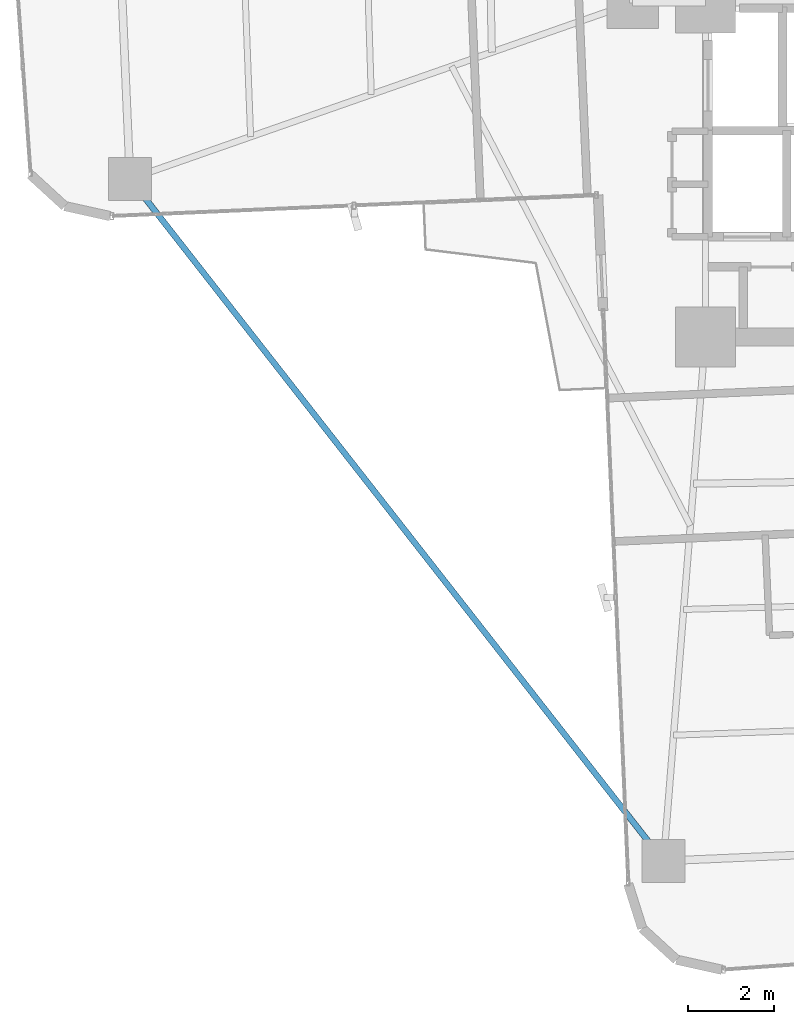
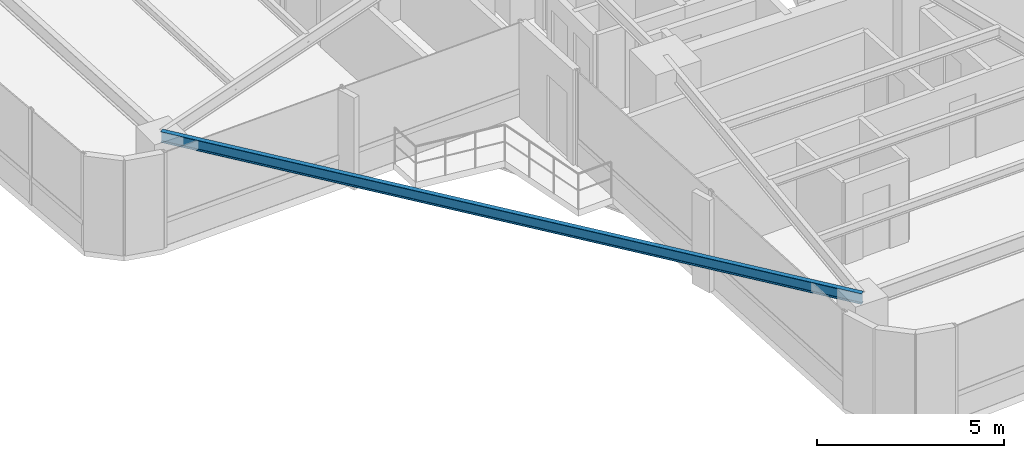
# One storey, part 3 of 26: 1 beam.
"""IFC4 building model written with IfcOpenShell, lengths in metres."""

import ifcopenshell
import ifcopenshell.guid

model = None  # the IFC model being written
_history = None  # IfcOwnerHistory: only IFC2X3 demands one
_inside = {}  # id of a spatial element -> (the spatial element, [elements in it])
_under = {}  # id of a project, library or spatial element -> (it, [spatial elements below it])
_declared = {}  # id of a project -> (the project, [libraries it declares])
_typed = {}  # id of a type object -> (the type object, [elements of that type])
_made_of = {}  # id of a material, layer set ... -> (it, [elements and type objects made of it])


def new_model(schema):
    """Start an empty IFC model of exactly this schema.

    Asked for "IFC4X3", IfcOpenShell would pick the latest addendum, in which some entities
    have other attributes; the version numbers below select the first issue.
    IFC2X3 requires an IfcOwnerHistory on every rooted entity: one is made here for all.
    """
    global model, _history
    if schema == "IFC4X3":
        model = ifcopenshell.file(schema_version=(4, 3, 0, 0))
    else:
        model = ifcopenshell.file(schema=schema)
    _inside.clear()
    _under.clear()
    _declared.clear()
    _typed.clear()
    _made_of.clear()
    _history = None
    if model.schema == "IFC2X3":
        org = make("IfcOrganization", Name="unknown")
        user = make(
            "IfcPersonAndOrganization",
            ThePerson=make("IfcPerson", FamilyName="unknown"),
            TheOrganization=org,
        )
        app = make(
            "IfcApplication",
            ApplicationDeveloper=org,
            Version="unknown",
            ApplicationFullName="unknown",
            ApplicationIdentifier="unknown",
        )
        _history = make(
            "IfcOwnerHistory",
            OwningUser=user,
            OwningApplication=app,
            ChangeAction="ADDED",
            CreationDate=0,
        )
    return model


def make(cls, **values):
    """One entity of the class cls with the attributes given. An attribute that is None is left unset."""
    return model.create_entity(
        cls, **{name: value for name, value in values.items() if value is not None}
    )


def rooted(cls, **values):
    """An entity with a GlobalId (a new one), such as an element, a storey or a relation."""
    return make(cls, GlobalId=ifcopenshell.guid.new(), OwnerHistory=_history, **values)


def si_unit(unit_type, name, prefix=None):
    """IfcSIUnit, for example si_unit("LENGTHUNIT", "METRE", prefix="MILLI")."""
    return make("IfcSIUnit", UnitType=unit_type, Prefix=prefix, Name=name)


def assignment(units):
    """IfcUnitAssignment: the units of a project."""
    return None if units is None else make("IfcUnitAssignment", Units=units)


def point(xyz):
    """IfcCartesianPoint."""
    return None if xyz is None else make("IfcCartesianPoint", Coordinates=xyz)


def direction(xyz):
    """IfcDirection."""
    return None if xyz is None else make("IfcDirection", DirectionRatios=xyz)


def frame(location, z_axis=None, x_axis=None):
    """IfcAxis2Placement3D, a coordinate frame: its origin and axes. An axis left out is left unset."""
    return make(
        "IfcAxis2Placement3D",
        Location=point(location),
        Axis=direction(z_axis),
        RefDirection=direction(x_axis),
    )


def frame_2d(location, x_axis=None):
    """IfcAxis2Placement2D, a coordinate frame in the plane: its origin and x axis."""
    return make(
        "IfcAxis2Placement2D", Location=point(location), RefDirection=direction(x_axis)
    )


def origin():
    """The frame at (0, 0, 0) with its axes left unset."""
    return frame((0.0, 0.0, 0.0))


def origin_2d():
    """The frame at (0, 0) in the plane with its x axis left unset."""
    return frame_2d((0.0, 0.0))


def place(relative_to, where):
    """IfcLocalPlacement: puts the frame where relative to a parent placement (None: the world)."""
    return make(
        "IfcLocalPlacement", PlacementRelTo=relative_to, RelativePlacement=where
    )


def context(
    kind, dimensions, precision=None, world=None, true_north=None, identifier=None
):
    """IfcGeometricRepresentationContext, for example the 3D "Model" context."""
    return make(
        "IfcGeometricRepresentationContext",
        ContextIdentifier=identifier,
        ContextType=kind,
        CoordinateSpaceDimension=dimensions,
        Precision=precision,
        WorldCoordinateSystem=world,
        TrueNorth=true_north,
    )


def subcontext(parent, identifier, kind, view, scale=None):
    """IfcGeometricRepresentationSubContext, for example "Body" below "Model"."""
    return make(
        "IfcGeometricRepresentationSubContext",
        ContextIdentifier=identifier,
        ContextType=kind,
        ParentContext=parent,
        TargetScale=scale,
        TargetView=view,
    )


def project(units=None, contexts=None):
    """IfcProject with its units and contexts."""
    return rooted(
        "IfcProject",
        Name="project",
        RepresentationContexts=contexts,
        UnitsInContext=assignment(units),
    )


def spatial(cls, under=None, at=None, **own):
    """A site, building, storey or space (cls), placed at a placement, below another one or the project."""
    s = rooted(cls, ObjectPlacement=at, **own)
    if under is not None:
        _under.setdefault(under.id(), (under, []))[1].append(s)
    return s


def profile(cls, at=None, kind="AREA", **sizes):
    """A parametric profile (cls). Its sizes go by their IFC names, for example OverallWidth=200.0."""
    return make(cls, ProfileType=kind, Position=at, **sizes)


def i_section(**sizes):
    """IfcIShapeProfileDef."""
    return profile("IfcIShapeProfileDef", **sizes)


def extrude(swept, where, along, depth):
    """IfcExtrudedAreaSolid: the profile swept, set in the frame where, extruded along a direction by depth."""
    return make(
        "IfcExtrudedAreaSolid",
        SweptArea=swept,
        Position=where,
        ExtrudedDirection=direction(along),
        Depth=depth,
    )


def shape(context_of_items, identifier, shape_type, items):
    """IfcShapeRepresentation: the items that make up one representation, for example the "Body"."""
    return make(
        "IfcShapeRepresentation",
        ContextOfItems=context_of_items,
        RepresentationIdentifier=identifier,
        RepresentationType=shape_type,
        Items=items,
    )


def source(mapping_origin, context_of_items, identifier, shape_type, items):
    """IfcRepresentationMap: a shape defined once, which mapped items show again and again."""
    return make(
        "IfcRepresentationMap",
        MappingOrigin=mapping_origin,
        MappedRepresentation=shape(context_of_items, identifier, shape_type, items),
    )


def transform(
    local_origin,
    x_axis=None,
    y_axis=None,
    z_axis=None,
    scale=None,
    scale2=None,
    scale3=None,
    uniform=True,
):
    """IfcCartesianTransformationOperator3D, or its non-uniform kind. x_axis, y_axis, z_axis: its Axis1, 2, 3."""
    if uniform:
        return make(
            "IfcCartesianTransformationOperator3D",
            Axis1=direction(x_axis),
            Axis2=direction(y_axis),
            LocalOrigin=point(local_origin),
            Scale=scale,
            Axis3=direction(z_axis),
        )
    return make(
        "IfcCartesianTransformationOperator3DnonUniform",
        Axis1=direction(x_axis),
        Axis2=direction(y_axis),
        LocalOrigin=point(local_origin),
        Scale=scale,
        Axis3=direction(z_axis),
        Scale2=scale2,
        Scale3=scale3,
    )


def mapped(mapping_source, mapping_target):
    """IfcMappedItem: shows the shape of a source again, moved by a transform."""
    return make(
        "IfcMappedItem", MappingSource=mapping_source, MappingTarget=mapping_target
    )


def material(Name=None, Category=None):
    """IfcMaterial."""
    return make("IfcMaterial", Name=Name, Category=Category)


def material_profile(
    of_material, cross_section, Name=None, Category=None, Priority=None
):
    """IfcMaterialProfile: a cross section and its material."""
    return make(
        "IfcMaterialProfile",
        Name=Name,
        Material=of_material,
        Profile=cross_section,
        Priority=Priority,
        Category=Category,
    )


def profile_set(profiles, Name=None, composite=None):
    """IfcMaterialProfileSet."""
    return make(
        "IfcMaterialProfileSet",
        Name=Name,
        MaterialProfiles=profiles,
        CompositeProfile=composite,
    )


def made_of(thing, what):
    """Note that an element or type object is made of a material, layer set ...; save() writes the relation."""
    if what is not None:
        _made_of.setdefault(what.id(), (what, []))[1].append(thing)
    return thing


def type_object(cls, material=None, **own):
    """A type object (cls), such as IfcWallType, which elements share."""
    return made_of(rooted(cls, **own), material)


def element(
    cls,
    number,
    at=None,
    inside=None,
    cuts=None,
    type_object=None,
    material=None,
    context=None,
    identifier="Body",
    shape_type=None,
    held_by="IfcProductDefinitionShape",
    body=None,
    shapes=None,
    **own,
):
    """One element of the class cls, such as IfcWall. Its Tag is "e" and its number.

    at: its placement. inside: the storey or other place that contains it. cuts: it is an
    opening in that element (IfcRelVoidsElement). A single representation is given by context,
    identifier, shape_type and body (its items); several are given by shapes. held_by: the class
    of the entity that holds the representations. save() writes the other relations.
    """
    e = rooted(cls, Tag="e%d" % number, ObjectPlacement=at, **own)
    if body is not None:
        shapes = [shape(context, identifier, shape_type, body)]
    if shapes is not None:
        e.Representation = make(held_by, Representations=shapes)
    if inside is not None:
        _inside.setdefault(inside.id(), (inside, []))[1].append(e)
    if cuts is not None:
        rooted(
            "IfcRelVoidsElement", RelatingBuildingElement=cuts, RelatedOpeningElement=e
        )
    if type_object is not None:
        _typed.setdefault(type_object.id(), (type_object, []))[1].append(e)
    return made_of(e, material)


def aggregate(whole, parts):
    """IfcRelAggregates: a whole, such as a stair, and the parts it consists of."""
    return rooted("IfcRelAggregates", RelatingObject=whole, RelatedObjects=parts)


def save(model, path):
    """Write the relations noted so far, then the file.

    IfcRelAggregates (storeys below a building ...), IfcRelContainedInSpatialStructure (elements
    in a storey), IfcRelDefinesByType, IfcRelAssociatesMaterial and IfcRelDeclares: one each for
    every whole, place, type object, material and project.
    """
    for whole, parts in _under.values():
        aggregate(whole, parts)
    for where, things in _inside.values():
        rooted(
            "IfcRelContainedInSpatialStructure",
            RelatedElements=things,
            RelatingStructure=where,
        )
    for kind, things in _typed.values():
        rooted("IfcRelDefinesByType", RelatedObjects=things, RelatingType=kind)
    for what, things in _made_of.values():
        rooted("IfcRelAssociatesMaterial", RelatedObjects=things, RelatingMaterial=what)
    for by, libraries in _declared.values():
        rooted("IfcRelDeclares", RelatingContext=by, RelatedDefinitions=libraries)
    model.write(path)


model = new_model("IFC4")

# Units and contexts
model_context = context("Model", 3, precision=1e-05, world=origin(), true_north=direction((0.0, 1.0)))
body_context = subcontext(model_context, "Body", "Model", "MODEL_VIEW")
ifc_project = project(units=[si_unit("LENGTHUNIT", "METRE"), si_unit("AREAUNIT", "SQUARE_METRE"), si_unit("VOLUMEUNIT", "CUBIC_METRE"), si_unit("PLANEANGLEUNIT", "RADIAN"), si_unit("MASSUNIT", "GRAM", prefix="KILO")], contexts=[model_context])

# Site, building, storey
site_placement = place(None, origin())
site = spatial("IfcSite", under=ifc_project, at=site_placement, CompositionType="ELEMENT")
building_placement = place(site_placement, origin())
building = spatial("IfcBuilding", under=site, at=building_placement, Name="Sahyath Konkavel Grand Hotel", CompositionType="ELEMENT")
storey_placement = place(building_placement, frame((0.0, 0.0, 93.550048828125)))
storey = spatial("IfcBuildingStorey", under=building, at=storey_placement, Name="L25", CompositionType="ELEMENT", Elevation=93.550048828125)

# Beam
ifc_material = material(Name="Steel E350", Category="steel")
ifc_material_profile = material_profile(ifc_material, i_section(OverallWidth=0.139892578125, OverallDepth=0.35009765625, WebThickness=0.008056640625, FlangeThickness=0.01416015625, FilletRadius=0.013916015625, at=origin_2d()), Name="ISMB 350")
ifc_profile_set = profile_set([ifc_material_profile], Name="Steel E350")
beam_type = type_object("IfcBeamType", Name="BM-ISMB350", PredefinedType="BEAM", material=ifc_profile_set)
shared_shape = source(origin(), body_context, "Body", "SweptSolid", [
    extrude(i_section(OverallWidth=0.139892578125, OverallDepth=0.35009765625, WebThickness=0.008056640625, FlangeThickness=0.01416015625, FilletRadius=0.013916015625, at=origin_2d()), origin(), (0.0, 0.0, 1.0), 20.215576171875),
])
beam_placement = place(storey_placement, frame((-17.232421875, -6.5078125, 2.93505859375), z_axis=(0.616176369687, -0.787608203004, 0.0), x_axis=(0.787608203004, 0.616176369687, 0.0)))
element("IfcBeam", 1, at=beam_placement, inside=storey, type_object=beam_type, Name="L25 Re-Entrant Tie Beam SW", PredefinedType="BEAM", context=body_context, shape_type="MappedRepresentation", body=[
    mapped(shared_shape, transform((0.0, 0.0, 0.0), scale=1.0)),
])

save(model, "model.ifc")
